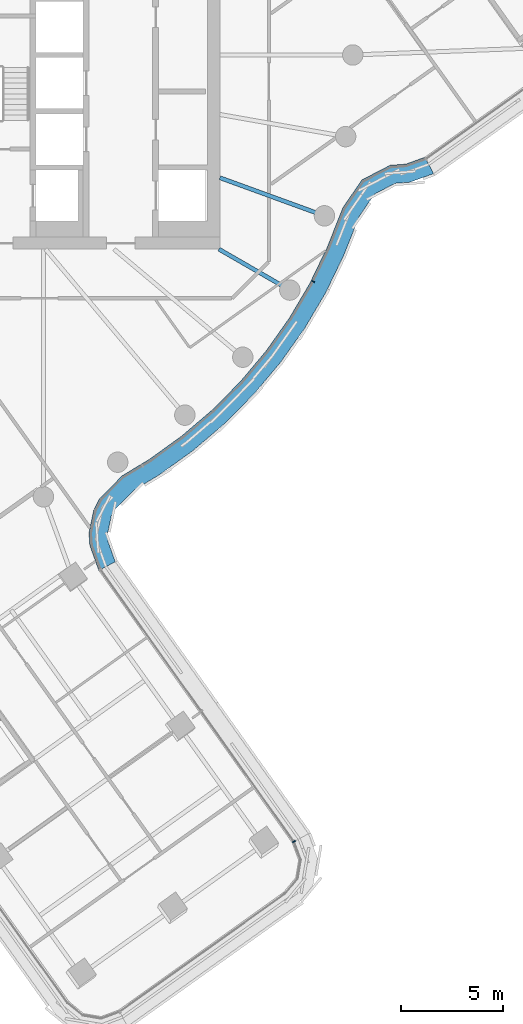
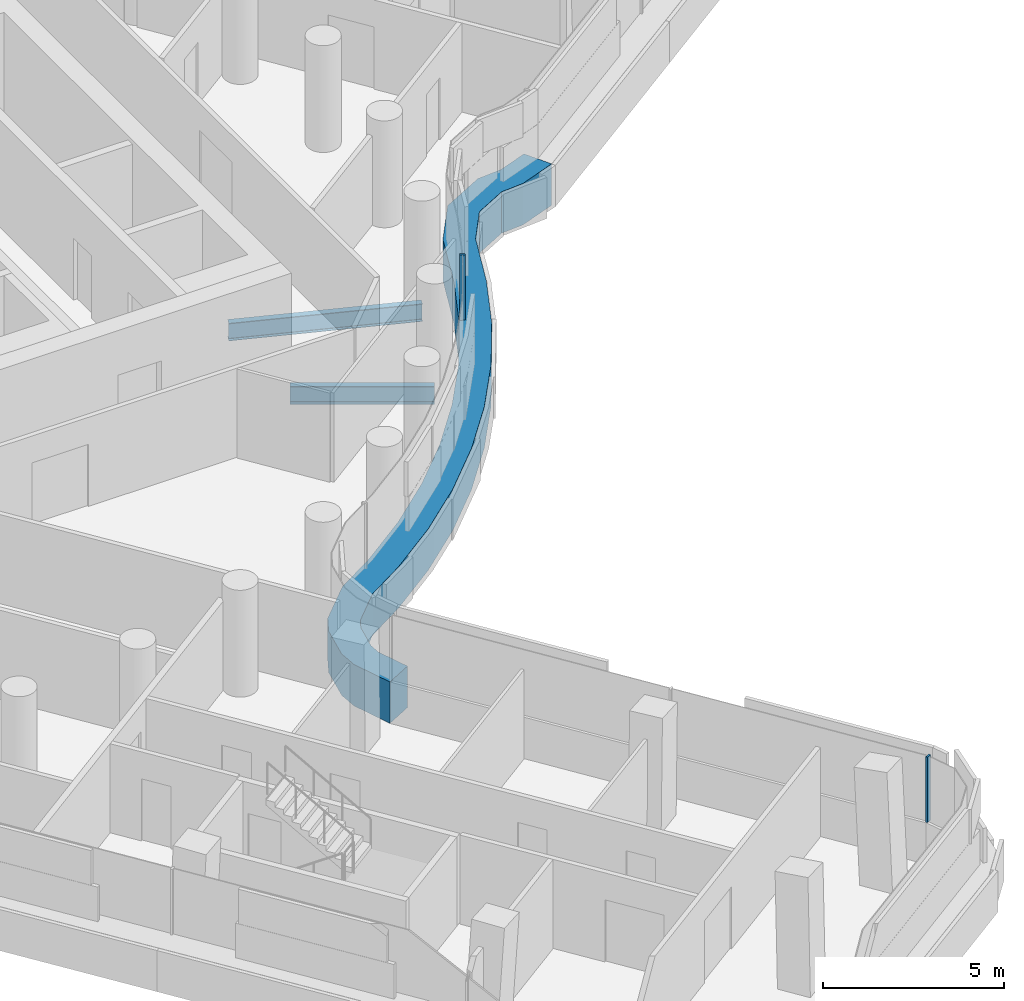
# One storey, part 10 of 31: 3 members, 2 beams, 2 elements without a shape of their own.
"""IFC4 building model written with IfcOpenShell, lengths in metres."""

from ifc_helpers import new_model, si_unit, direction, frame, origin, origin_2d, place, context, subcontext, project, spatial, polyline, rectangle, i_section, outline, extrude, material, layer, layer_set, material_profile, profile_set, type_object, element, aggregate, save


model = new_model("IFC4")

# Units and contexts
model_context = context("Model", 3, precision=1e-05, world=origin(), true_north=direction((0.0, 1.0)))
body_context = subcontext(model_context, "Body", "Model", "MODEL_VIEW")
ifc_project = project(units=[si_unit("LENGTHUNIT", "METRE"), si_unit("AREAUNIT", "SQUARE_METRE"), si_unit("VOLUMEUNIT", "CUBIC_METRE"), si_unit("PLANEANGLEUNIT", "RADIAN"), si_unit("MASSUNIT", "GRAM", prefix="KILO")], contexts=[model_context])

# Site, building, storey
site_placement = place(None, origin())
site = spatial("IfcSite", under=ifc_project, at=site_placement, CompositionType="ELEMENT")
building_placement = place(site_placement, origin())
building = spatial("IfcBuilding", under=site, at=building_placement, Name="Tamarind Cross Interchange Tower", CompositionType="ELEMENT")
storey_placement = place(building_placement, frame((0.0, 0.0, 163.0)))
storey = spatial("IfcBuildingStorey", under=building, at=storey_placement, Name="L40", CompositionType="ELEMENT", Elevation=163.0)

# Beams
ifc_material_1 = material(Name="Steel Q355B", Category="steel")
ifc_material_profile_1 = material_profile(ifc_material_1, i_section(OverallWidth=0.198974609375, OverallDepth=0.595947265625, WebThickness=0.010009765625, FlangeThickness=0.014892578125, FilletRadius=0.012939453125, at=origin_2d()), Name="HN 596x199x10x15")
ifc_profile_set_1 = profile_set([ifc_material_profile_1], Name="Steel Q355B")
beam_type = type_object("IfcBeamType", Name="Composite beam HN 596x199x10x15 Q355B", PredefinedType="BEAM", material=ifc_profile_set_1)
beam_1_placement = place(storey_placement, frame((19.918701171875, -11.5, -0.43798828125), z_axis=(-0.866026010844, 0.49999894854, 0.0), x_axis=(-0.49999894854, -0.866026010844, 0.0)))
element("IfcBeam", 1, at=beam_1_placement, inside=storey, type_object=beam_type, Name="Beam HH33", PredefinedType="BEAM", context=body_context, shape_type="SweptSolid", body=[
    extrude(i_section(OverallWidth=0.198974609375, OverallDepth=0.595947265625, WebThickness=0.010009765625, FlangeThickness=0.014892578125, FilletRadius=0.012939453125, at=origin_2d()), origin(), (0.0, 0.0, 1.0), 4.0),
])
beam_2_placement = place(storey_placement, frame((21.613037109375, -7.866455078125, -0.43798828125), z_axis=(-0.939701685589, 0.341995236956, 0.0), x_axis=(-0.341995236956, -0.939701685589, 0.0)))
element("IfcBeam", 2, at=beam_2_placement, inside=storey, type_object=beam_type, Name="Beam HH34", PredefinedType="BEAM", context=body_context, shape_type="SweptSolid", body=[
    extrude(i_section(OverallWidth=0.198974609375, OverallDepth=0.595947265625, WebThickness=0.010009765625, FlangeThickness=0.014892578125, FilletRadius=0.012939453125, at=origin_2d()), origin(), (0.0, 0.0, 1.0), 5.441162109375),
])

# Curtain wall, member
ifc_material_2 = material(Name="Aluminium 6063-T6", Category="aluminium")
ifc_layer = layer(ifc_material_2, 0.159912109375)
ifc_layer_set = layer_set([ifc_layer], Name="Aluminium 6063-T6")
curtain_wall_type = type_object("IfcCurtainWallType", Name="Office curtain wall, 9.0 m bays", PredefinedType="NOTDEFINED", material=ifc_layer_set)
curtain_wall_1_placement = place(storey_placement, origin())
curtain_wall_1 = element("IfcCurtainWall", 3, at=curtain_wall_1_placement, inside=storey, type_object=curtain_wall_type, Name="CWS-L40-02", PredefinedType="NOTDEFINED")
ifc_material_3 = material(Name="Aluminium and insulated spandrel panel", Category="aluminium")
member_type_1 = type_object("IfcMemberType", Name="Floor-edge blade transom", PredefinedType="USERDEFINED", material=ifc_material_3)
member_1_placement = place(storey_placement, origin())
member_1 = element("IfcMember", 4, at=member_1_placement, type_object=member_type_1, Name="CWT-L40-02", ObjectType="TRANSOM", PredefinedType="USERDEFINED", context=body_context, shape_type="SweptSolid", body=[
    extrude(outline(polyline([(10.57421875, -25.2158203125), (10.13525390625, -23.9921875), (10.0927734375, -23.376708984375), (10.3310546875, -22.240234375), (10.619140625, -21.690185546875), (11.727294921875, -20.576904296875), (13.04541015625, -19.781494140625), (14.634521484375, -18.636474609375), (16.12353515625, -17.3642578125), (17.50244140625, -15.973388671875), (18.76171875, -14.4736328125), (19.892822265625, -12.874755859375), (20.88818359375, -11.188232421875), (21.7412109375, -9.423583984375), (22.521484375, -7.455078125), (23.452880859375, -6.105224609375), (24.8251953125, -5.393798828125), (25.5986328125, -5.335205078125), (26.531982421875, -4.996826171875), (26.95458984375, -5.80078125), (25.78955078125, -6.223388671875), (25.076416015625, -6.27734375), (24.066162109375, -6.801025390625), (23.320556640625, -7.8818359375), (22.56591796875, -9.785888671875), (21.68212890625, -11.613525390625), (20.64892578125, -13.3642578125), (19.474853515625, -15.023681640625), (18.167724609375, -16.580810546875), (16.736572265625, -18.0244140625), (15.19091796875, -19.344970703125), (13.541748046875, -20.532958984375), (12.287109375, -21.290283203125), (11.35302734375, -22.228515625), (11.186279296875, -22.547119140625), (10.999267578125, -23.439208984375), (11.024658203125, -23.8056640625), (11.379638671875, -24.79541015625), (10.57421875, -25.2158203125)])), origin(), (0.0, 0.0, 1.0), 1.39990234375),
])

curtain_wall_2_placement = place(storey_placement, origin())
curtain_wall_2 = element("IfcCurtainWall", 5, at=curtain_wall_2_placement, inside=storey, type_object=curtain_wall_type, Name="CWS-L40-01", PredefinedType="NOTDEFINED")
ifc_material_profile_2 = material_profile(ifc_material_2, rectangle(XDim=0.06005859375, YDim=0.159912109375, at=origin_2d()), Name="Mullion CW1")
ifc_profile_set_2 = profile_set([ifc_material_profile_2], Name="Aluminium 6063-T6")
member_type_2 = type_object("IfcMemberType", Name="Mullion CW1", PredefinedType="MULLION", material=ifc_profile_set_2)
member_2_placement = place(storey_placement, frame((20.118408203125, -38.4775390625, 1.39990234375), z_axis=(0.0, 0.0, 1.0), x_axis=(-0.468813412108, 0.883297223265, 0.0)))
member_2 = element("IfcMember", 6, at=member_2_placement, type_object=member_type_2, Name="CWM-L40-01-00", PredefinedType="MULLION", context=body_context, shape_type="SweptSolid", body=[
    extrude(rectangle(XDim=0.06005859375, YDim=0.159912109375, at=origin_2d()), origin(), (0.0, 0.0, 1.0), 2.210205078125),
])
aggregate(curtain_wall_2, [member_2])

# Member
member_3_placement = place(storey_placement, frame((21.053955078125, -11.07470703125, 1.39990234375), z_axis=(0.0, 0.0, 1.0), x_axis=(0.435326231914, 0.900272776334, 0.0)))
member_3 = element("IfcMember", 7, at=member_3_placement, type_object=member_type_2, Name="CWM-L40-02-02", PredefinedType="MULLION", context=body_context, shape_type="SweptSolid", body=[
    extrude(rectangle(XDim=0.06005859375, YDim=0.159912109375, at=origin_2d()), origin(), (0.0, 0.0, 1.0), 2.210205078125),
])

aggregate(curtain_wall_1, [member_3, member_1])

save(model, "model.ifc")
